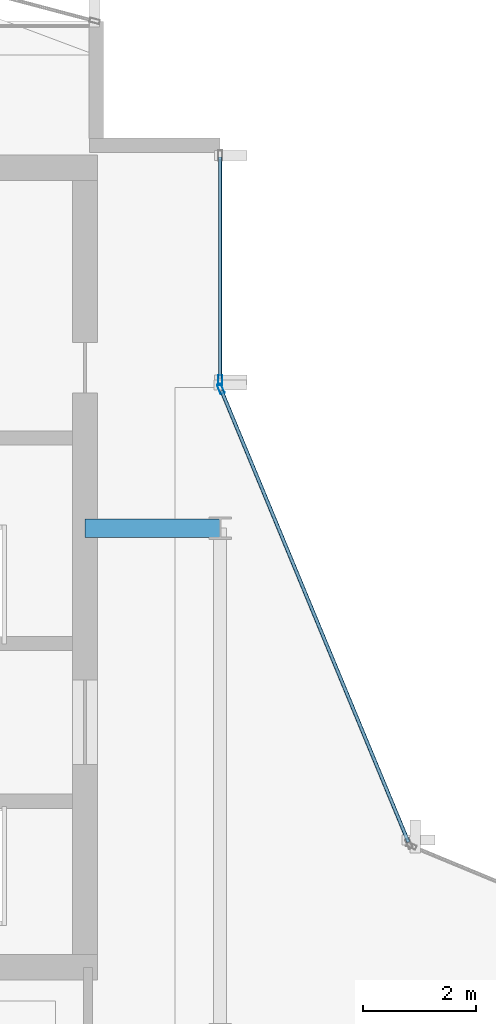
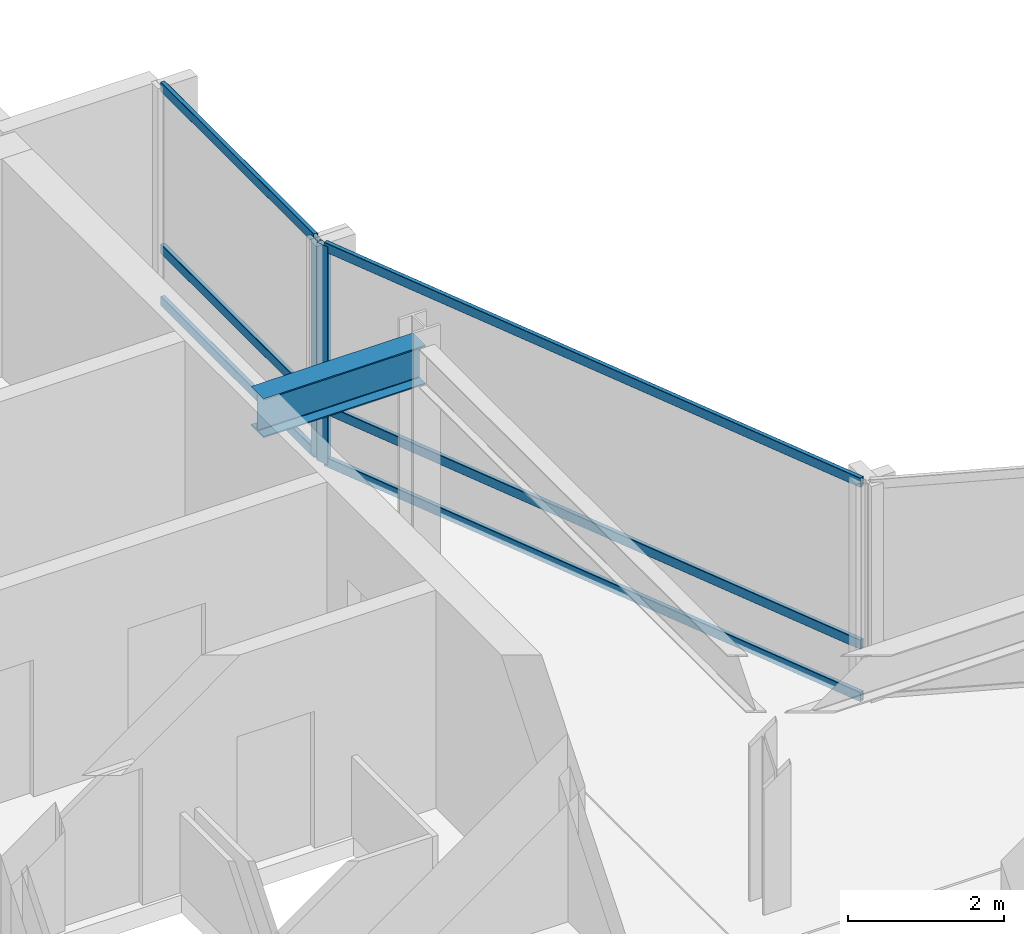
# One storey, part 17 of 27: 8 members, 1 beam, 2 elements without a shape of their own.
"""IFC4 building model written with IfcOpenShell, lengths in metres."""

import ifcopenshell
import ifcopenshell.guid

model = None  # the IFC model being written
_history = None  # IfcOwnerHistory: only IFC2X3 demands one
_inside = {}  # id of a spatial element -> (the spatial element, [elements in it])
_under = {}  # id of a project, library or spatial element -> (it, [spatial elements below it])
_declared = {}  # id of a project -> (the project, [libraries it declares])
_typed = {}  # id of a type object -> (the type object, [elements of that type])
_made_of = {}  # id of a material, layer set ... -> (it, [elements and type objects made of it])


def new_model(schema):
    """Start an empty IFC model of exactly this schema.

    Asked for "IFC4X3", IfcOpenShell would pick the latest addendum, in which some entities
    have other attributes; the version numbers below select the first issue.
    IFC2X3 requires an IfcOwnerHistory on every rooted entity: one is made here for all.
    """
    global model, _history
    if schema == "IFC4X3":
        model = ifcopenshell.file(schema_version=(4, 3, 0, 0))
    else:
        model = ifcopenshell.file(schema=schema)
    _inside.clear()
    _under.clear()
    _declared.clear()
    _typed.clear()
    _made_of.clear()
    _history = None
    if model.schema == "IFC2X3":
        org = make("IfcOrganization", Name="unknown")
        user = make(
            "IfcPersonAndOrganization",
            ThePerson=make("IfcPerson", FamilyName="unknown"),
            TheOrganization=org,
        )
        app = make(
            "IfcApplication",
            ApplicationDeveloper=org,
            Version="unknown",
            ApplicationFullName="unknown",
            ApplicationIdentifier="unknown",
        )
        _history = make(
            "IfcOwnerHistory",
            OwningUser=user,
            OwningApplication=app,
            ChangeAction="ADDED",
            CreationDate=0,
        )
    return model


def make(cls, **values):
    """One entity of the class cls with the attributes given. An attribute that is None is left unset."""
    return model.create_entity(
        cls, **{name: value for name, value in values.items() if value is not None}
    )


def rooted(cls, **values):
    """An entity with a GlobalId (a new one), such as an element, a storey or a relation."""
    return make(cls, GlobalId=ifcopenshell.guid.new(), OwnerHistory=_history, **values)


def si_unit(unit_type, name, prefix=None):
    """IfcSIUnit, for example si_unit("LENGTHUNIT", "METRE", prefix="MILLI")."""
    return make("IfcSIUnit", UnitType=unit_type, Prefix=prefix, Name=name)


def assignment(units):
    """IfcUnitAssignment: the units of a project."""
    return None if units is None else make("IfcUnitAssignment", Units=units)


def point(xyz):
    """IfcCartesianPoint."""
    return None if xyz is None else make("IfcCartesianPoint", Coordinates=xyz)


def direction(xyz):
    """IfcDirection."""
    return None if xyz is None else make("IfcDirection", DirectionRatios=xyz)


def frame(location, z_axis=None, x_axis=None):
    """IfcAxis2Placement3D, a coordinate frame: its origin and axes. An axis left out is left unset."""
    return make(
        "IfcAxis2Placement3D",
        Location=point(location),
        Axis=direction(z_axis),
        RefDirection=direction(x_axis),
    )


def frame_2d(location, x_axis=None):
    """IfcAxis2Placement2D, a coordinate frame in the plane: its origin and x axis."""
    return make(
        "IfcAxis2Placement2D", Location=point(location), RefDirection=direction(x_axis)
    )


def origin():
    """The frame at (0, 0, 0) with its axes left unset."""
    return frame((0.0, 0.0, 0.0))


def origin_2d():
    """The frame at (0, 0) in the plane with its x axis left unset."""
    return frame_2d((0.0, 0.0))


def place(relative_to, where):
    """IfcLocalPlacement: puts the frame where relative to a parent placement (None: the world)."""
    return make(
        "IfcLocalPlacement", PlacementRelTo=relative_to, RelativePlacement=where
    )


def context(
    kind, dimensions, precision=None, world=None, true_north=None, identifier=None
):
    """IfcGeometricRepresentationContext, for example the 3D "Model" context."""
    return make(
        "IfcGeometricRepresentationContext",
        ContextIdentifier=identifier,
        ContextType=kind,
        CoordinateSpaceDimension=dimensions,
        Precision=precision,
        WorldCoordinateSystem=world,
        TrueNorth=true_north,
    )


def subcontext(parent, identifier, kind, view, scale=None):
    """IfcGeometricRepresentationSubContext, for example "Body" below "Model"."""
    return make(
        "IfcGeometricRepresentationSubContext",
        ContextIdentifier=identifier,
        ContextType=kind,
        ParentContext=parent,
        TargetScale=scale,
        TargetView=view,
    )


def project(units=None, contexts=None):
    """IfcProject with its units and contexts."""
    return rooted(
        "IfcProject",
        Name="project",
        RepresentationContexts=contexts,
        UnitsInContext=assignment(units),
    )


def spatial(cls, under=None, at=None, **own):
    """A site, building, storey or space (cls), placed at a placement, below another one or the project."""
    s = rooted(cls, ObjectPlacement=at, **own)
    if under is not None:
        _under.setdefault(under.id(), (under, []))[1].append(s)
    return s


def profile(cls, at=None, kind="AREA", **sizes):
    """A parametric profile (cls). Its sizes go by their IFC names, for example OverallWidth=200.0."""
    return make(cls, ProfileType=kind, Position=at, **sizes)


def hollow_rectangle(**sizes):
    """IfcRectangleHollowProfileDef."""
    return profile("IfcRectangleHollowProfileDef", **sizes)


def i_section(**sizes):
    """IfcIShapeProfileDef."""
    return profile("IfcIShapeProfileDef", **sizes)


def extrude(swept, where, along, depth):
    """IfcExtrudedAreaSolid: the profile swept, set in the frame where, extruded along a direction by depth."""
    return make(
        "IfcExtrudedAreaSolid",
        SweptArea=swept,
        Position=where,
        ExtrudedDirection=direction(along),
        Depth=depth,
    )


def shape(context_of_items, identifier, shape_type, items):
    """IfcShapeRepresentation: the items that make up one representation, for example the "Body"."""
    return make(
        "IfcShapeRepresentation",
        ContextOfItems=context_of_items,
        RepresentationIdentifier=identifier,
        RepresentationType=shape_type,
        Items=items,
    )


def material(Name=None, Category=None):
    """IfcMaterial."""
    return make("IfcMaterial", Name=Name, Category=Category)


def layer(
    of_material, thickness, ventilated=None, Name=None, Category=None, Priority=None
):
    """IfcMaterialLayer: one layer of a wall or slab, of a material (None: an air gap)."""
    return make(
        "IfcMaterialLayer",
        Material=of_material,
        LayerThickness=thickness,
        IsVentilated=ventilated,
        Name=Name,
        Category=Category,
        Priority=Priority,
    )


def layer_set(layers, Name=None):
    """IfcMaterialLayerSet."""
    return make("IfcMaterialLayerSet", MaterialLayers=layers, LayerSetName=Name)


def material_profile(
    of_material, cross_section, Name=None, Category=None, Priority=None
):
    """IfcMaterialProfile: a cross section and its material."""
    return make(
        "IfcMaterialProfile",
        Name=Name,
        Material=of_material,
        Profile=cross_section,
        Priority=Priority,
        Category=Category,
    )


def profile_set(profiles, Name=None, composite=None):
    """IfcMaterialProfileSet."""
    return make(
        "IfcMaterialProfileSet",
        Name=Name,
        MaterialProfiles=profiles,
        CompositeProfile=composite,
    )


def made_of(thing, what):
    """Note that an element or type object is made of a material, layer set ...; save() writes the relation."""
    if what is not None:
        _made_of.setdefault(what.id(), (what, []))[1].append(thing)
    return thing


def type_object(cls, material=None, **own):
    """A type object (cls), such as IfcWallType, which elements share."""
    return made_of(rooted(cls, **own), material)


def element(
    cls,
    number,
    at=None,
    inside=None,
    cuts=None,
    type_object=None,
    material=None,
    context=None,
    identifier="Body",
    shape_type=None,
    held_by="IfcProductDefinitionShape",
    body=None,
    shapes=None,
    **own,
):
    """One element of the class cls, such as IfcWall. Its Tag is "e" and its number.

    at: its placement. inside: the storey or other place that contains it. cuts: it is an
    opening in that element (IfcRelVoidsElement). A single representation is given by context,
    identifier, shape_type and body (its items); several are given by shapes. held_by: the class
    of the entity that holds the representations. save() writes the other relations.
    """
    e = rooted(cls, Tag="e%d" % number, ObjectPlacement=at, **own)
    if body is not None:
        shapes = [shape(context, identifier, shape_type, body)]
    if shapes is not None:
        e.Representation = make(held_by, Representations=shapes)
    if inside is not None:
        _inside.setdefault(inside.id(), (inside, []))[1].append(e)
    if cuts is not None:
        rooted(
            "IfcRelVoidsElement", RelatingBuildingElement=cuts, RelatedOpeningElement=e
        )
    if type_object is not None:
        _typed.setdefault(type_object.id(), (type_object, []))[1].append(e)
    return made_of(e, material)


def aggregate(whole, parts):
    """IfcRelAggregates: a whole, such as a stair, and the parts it consists of."""
    return rooted("IfcRelAggregates", RelatingObject=whole, RelatedObjects=parts)


def save(model, path):
    """Write the relations noted so far, then the file.

    IfcRelAggregates (storeys below a building ...), IfcRelContainedInSpatialStructure (elements
    in a storey), IfcRelDefinesByType, IfcRelAssociatesMaterial and IfcRelDeclares: one each for
    every whole, place, type object, material and project.
    """
    for whole, parts in _under.values():
        aggregate(whole, parts)
    for where, things in _inside.values():
        rooted(
            "IfcRelContainedInSpatialStructure",
            RelatedElements=things,
            RelatingStructure=where,
        )
    for kind, things in _typed.values():
        rooted("IfcRelDefinesByType", RelatedObjects=things, RelatingType=kind)
    for what, things in _made_of.values():
        rooted("IfcRelAssociatesMaterial", RelatedObjects=things, RelatingMaterial=what)
    for by, libraries in _declared.values():
        rooted("IfcRelDeclares", RelatingContext=by, RelatedDefinitions=libraries)
    model.write(path)


model = new_model("IFC4")

# Units and contexts
model_context = context("Model", 3, precision=1e-05, world=origin(), true_north=direction((0.0, 1.0)))
body_context = subcontext(model_context, "Body", "Model", "MODEL_VIEW")
ifc_project = project(units=[si_unit("LENGTHUNIT", "METRE"), si_unit("AREAUNIT", "SQUARE_METRE"), si_unit("VOLUMEUNIT", "CUBIC_METRE"), si_unit("PLANEANGLEUNIT", "RADIAN"), si_unit("MASSUNIT", "GRAM", prefix="KILO")], contexts=[model_context])

# Site, building, storey
site_placement = place(None, origin())
site = spatial("IfcSite", under=ifc_project, at=site_placement, CompositionType="ELEMENT")
building_placement = place(site_placement, origin())
building = spatial("IfcBuilding", under=site, at=building_placement, Name="Solvaryn Broadcast Tower", CompositionType="ELEMENT")
storey_placement = place(building_placement, frame((0.0, 0.0, 228.39990234375)))
storey = spatial("IfcBuildingStorey", under=building, at=storey_placement, Name="L57", CompositionType="ELEMENT", Elevation=228.39990234375)

# Beam
ifc_material_1 = material(Name="Steel ASTM A992 Grade 50", Category="steel")
ifc_material_profile_1 = material_profile(ifc_material_1, i_section(OverallWidth=0.323974609375, OverallDepth=0.611083984375, WebThickness=0.0126953125, FlangeThickness=0.01904296875, FilletRadius=0.014892578125, at=origin_2d()))
ifc_profile_set_1 = profile_set([ifc_material_profile_1], Name="Steel ASTM A992 Grade 50")
beam_type = type_object("IfcBeamType", Name="BM-B1-W24X104", PredefinedType="BEAM", material=ifc_profile_set_1)
beam_placement = place(storey_placement, frame((24.60009765625, 36.0, 3.114501953125), z_axis=(1.0, 0.0, 0.0), x_axis=(0.0, 1.0, 0.0)))
element("IfcBeam", 1, at=beam_placement, inside=storey, type_object=beam_type, Name="L57 Core Tie Beam CTW2", PredefinedType="BEAM", context=body_context, shape_type="SweptSolid", body=[
    extrude(i_section(OverallWidth=0.323974609375, OverallDepth=0.611083984375, WebThickness=0.0126953125, FlangeThickness=0.01904296875, FilletRadius=0.014892578125, at=origin_2d()), origin(), (0.0, 0.0, 1.0), 2.39990234375),
])

# Curtain wall, member
ifc_material_2 = material(Name="Aluminium and Terracotta Unitised Curtain Wall", Category="masonry")
ifc_layer = layer(ifc_material_2, 0.199951171875)
ifc_layer_set = layer_set([ifc_layer], Name="CW-SYS2-LOWMID")
curtain_wall_type = type_object("IfcCurtainWallType", Name="CW-SYS2-LOWMID", PredefinedType="NOTDEFINED", material=ifc_layer_set)
curtain_wall_1_placement = place(storey_placement, origin())
curtain_wall_1 = element("IfcCurtainWall", 2, at=curtain_wall_1_placement, inside=storey, type_object=curtain_wall_type, Name="L57 Curtain Wall IV", PredefinedType="NOTDEFINED")
ifc_material_3 = material(Name="Anodised Aluminium 6063-T6", Category="aluminium")
ifc_material_profile_2 = material_profile(ifc_material_3, hollow_rectangle(XDim=0.074951171875, YDim=0.179931640625, WallThickness=0.00390625, InnerFilletRadius=0.00390625, OuterFilletRadius=0.008056640625, at=origin_2d()))
ifc_profile_set_2 = profile_set([ifc_material_profile_2], Name="Anodised Aluminium 6063-T6")
member_type_1 = type_object("IfcMemberType", Name="CW-MUL-180", PredefinedType="MULLION", material=ifc_profile_set_2)
member_1_placement = place(storey_placement, frame((27.0, 38.6298828125, 0.0), z_axis=(0.0, 0.0, 1.0), x_axis=(1.0, 0.0, 0.0)))
member_1 = element("IfcMember", 3, at=member_1_placement, type_object=member_type_1, Name="CWS2 mullion 2", PredefinedType="MULLION", context=body_context, shape_type="SweptSolid", body=[
    extrude(hollow_rectangle(XDim=0.074951171875, YDim=0.179931640625, WallThickness=0.00390625, InnerFilletRadius=0.00390625, OuterFilletRadius=0.008056640625, at=origin_2d()), origin(), (0.0, 0.0, 1.0), 3.420166015625),
])

curtain_wall_2_placement = place(storey_placement, origin())
curtain_wall_2 = element("IfcCurtainWall", 4, at=curtain_wall_2_placement, inside=storey, type_object=curtain_wall_type, Name="L57 Curtain Wall CN2", PredefinedType="NOTDEFINED")
member_2_placement = place(storey_placement, frame((27.011474609375, 38.47216796875, 0.0), z_axis=(0.0, 0.0, 1.0), x_axis=(-0.923894983957, -0.382646127145, 0.0)))
member_2 = element("IfcMember", 5, at=member_2_placement, type_object=member_type_1, Name="CWS2 mullion 2", PredefinedType="MULLION", context=body_context, shape_type="SweptSolid", body=[
    extrude(hollow_rectangle(XDim=0.074951171875, YDim=0.179931640625, WallThickness=0.00390625, InnerFilletRadius=0.00390625, OuterFilletRadius=0.008056640625, at=origin_2d()), origin(), (0.0, 0.0, 1.0), 3.420166015625),
])

# Member
ifc_material_4 = material(Name="Anodised Aluminium 6063-T6", Category="aluminium")
ifc_material_profile_3 = material_profile(ifc_material_4, hollow_rectangle(XDim=0.06494140625, YDim=0.14990234375, WallThickness=0.00390625, InnerFilletRadius=0.00390625, OuterFilletRadius=0.008056640625, at=origin_2d()))
ifc_profile_set_3 = profile_set([ifc_material_profile_3], Name="Anodised Aluminium 6063-T6")
member_type_2 = type_object("IfcMemberType", Name="CW-TRN-150", PredefinedType="USERDEFINED", material=ifc_profile_set_3)
member_3_placement = place(storey_placement, frame((27.0, 42.590087890625, 0.030029296875), z_axis=(0.0, -1.0, 0.0), x_axis=(1.0, 0.0, 0.0)))
member_3 = element("IfcMember", 6, at=member_3_placement, type_object=member_type_2, Name="CWS2 transom 1.1", ObjectType="TRANSOM", PredefinedType="USERDEFINED", context=body_context, shape_type="SweptSolid", body=[
    extrude(hollow_rectangle(XDim=0.06494140625, YDim=0.14990234375, WallThickness=0.00390625, InnerFilletRadius=0.00390625, OuterFilletRadius=0.008056640625, at=origin_2d()), origin(), (0.0, 0.0, 1.0), 3.93017578125),
])

member_4_placement = place(storey_placement, frame((27.0, 42.590087890625, 0.85009765625), z_axis=(0.0, -1.0, 0.0), x_axis=(1.0, 0.0, 0.0)))
member_4 = element("IfcMember", 7, at=member_4_placement, type_object=member_type_2, Name="CWS2 transom 1.2", ObjectType="TRANSOM", PredefinedType="USERDEFINED", context=body_context, shape_type="SweptSolid", body=[
    extrude(hollow_rectangle(XDim=0.06494140625, YDim=0.14990234375, WallThickness=0.00390625, InnerFilletRadius=0.00390625, OuterFilletRadius=0.008056640625, at=origin_2d()), origin(), (0.0, 0.0, 1.0), 3.93017578125),
])

member_5_placement = place(storey_placement, frame((27.0, 42.590087890625, 3.39013671875), z_axis=(0.0, -1.0, 0.0), x_axis=(1.0, 0.0, 0.0)))
member_5 = element("IfcMember", 8, at=member_5_placement, type_object=member_type_2, Name="CWS2 transom 1.3", ObjectType="TRANSOM", PredefinedType="USERDEFINED", context=body_context, shape_type="SweptSolid", body=[
    extrude(hollow_rectangle(XDim=0.06494140625, YDim=0.14990234375, WallThickness=0.00390625, InnerFilletRadius=0.00390625, OuterFilletRadius=0.008056640625, at=origin_2d()), origin(), (0.0, 0.0, 1.0), 3.93017578125),
])

aggregate(curtain_wall_1, [member_1, member_3, member_4, member_5])

member_6_placement = place(storey_placement, frame((30.344970703125, 30.42333984375, 0.030029296875), z_axis=(-0.382635748975, 0.923899282177, 0.0), x_axis=(-0.923899282177, -0.382635748975, 0.0)))
member_6 = element("IfcMember", 9, at=member_6_placement, type_object=member_type_2, Name="CWS2 transom 1.1", ObjectType="TRANSOM", PredefinedType="USERDEFINED", context=body_context, shape_type="SweptSolid", body=[
    extrude(hollow_rectangle(XDim=0.06494140625, YDim=0.14990234375, WallThickness=0.00390625, InnerFilletRadius=0.00390625, OuterFilletRadius=0.008056640625, at=origin_2d()), origin(), (0.0, 0.0, 1.0), 8.681884765625),
])

member_7_placement = place(storey_placement, frame((30.344970703125, 30.42333984375, 0.85009765625), z_axis=(-0.382635748975, 0.923899282177, 0.0), x_axis=(-0.923899282177, -0.382635748975, 0.0)))
member_7 = element("IfcMember", 10, at=member_7_placement, type_object=member_type_2, Name="CWS2 transom 1.2", ObjectType="TRANSOM", PredefinedType="USERDEFINED", context=body_context, shape_type="SweptSolid", body=[
    extrude(hollow_rectangle(XDim=0.06494140625, YDim=0.14990234375, WallThickness=0.00390625, InnerFilletRadius=0.00390625, OuterFilletRadius=0.008056640625, at=origin_2d()), origin(), (0.0, 0.0, 1.0), 8.681884765625),
])

member_8_placement = place(storey_placement, frame((30.344970703125, 30.42333984375, 3.39013671875), z_axis=(-0.382635748975, 0.923899282177, 0.0), x_axis=(-0.923899282177, -0.382635748975, 0.0)))
member_8 = element("IfcMember", 11, at=member_8_placement, type_object=member_type_2, Name="CWS2 transom 1.3", ObjectType="TRANSOM", PredefinedType="USERDEFINED", context=body_context, shape_type="SweptSolid", body=[
    extrude(hollow_rectangle(XDim=0.06494140625, YDim=0.14990234375, WallThickness=0.00390625, InnerFilletRadius=0.00390625, OuterFilletRadius=0.008056640625, at=origin_2d()), origin(), (0.0, 0.0, 1.0), 8.681884765625),
])

aggregate(curtain_wall_2, [member_2, member_6, member_7, member_8])

save(model, "model.ifc")
